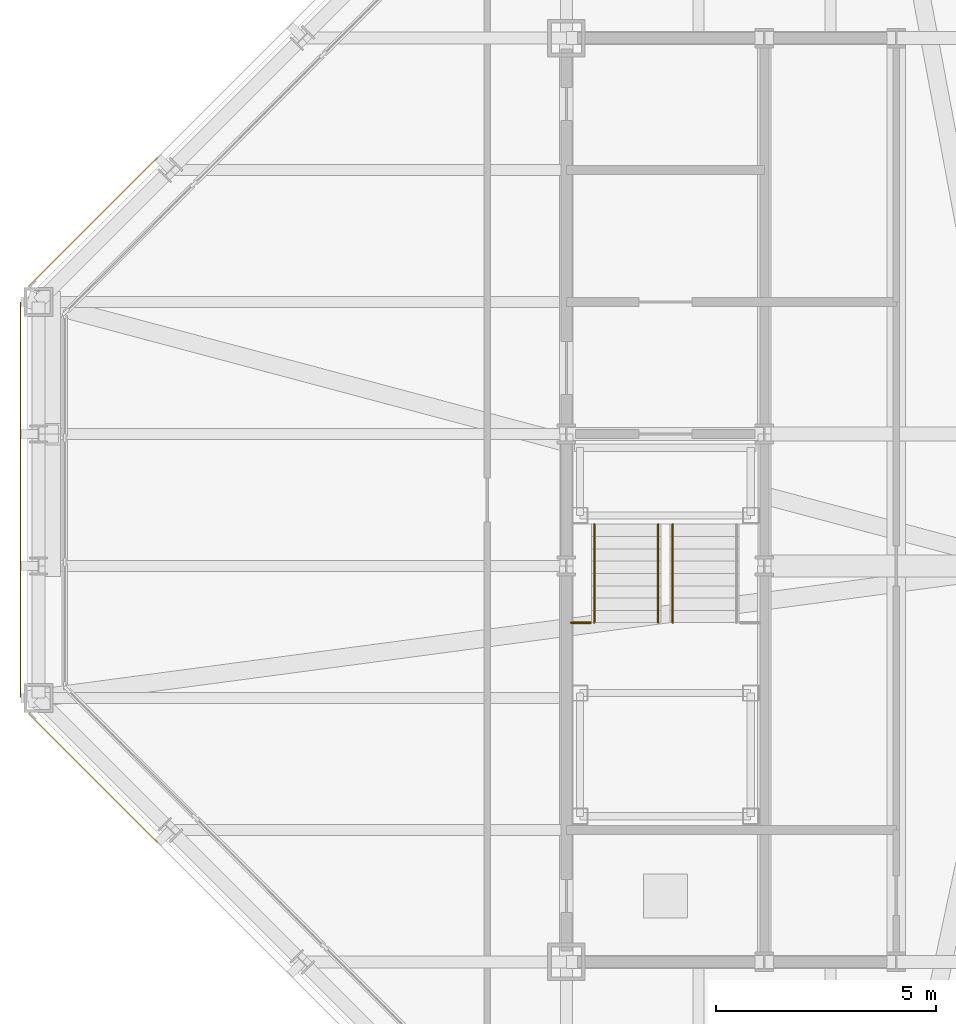
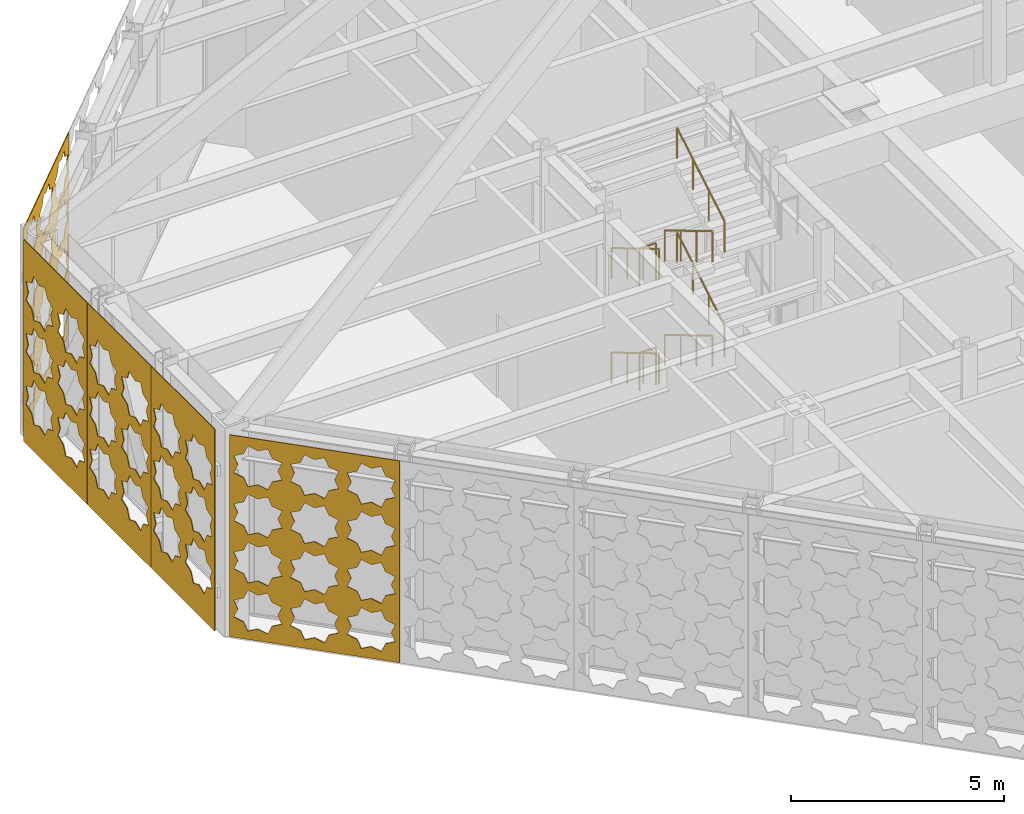
# One storey, part 24 of 30: 8 railings, 5 coverings.
"""IFC4 building model written with IfcOpenShell, lengths in metres."""

from ifc_helpers import new_model, si_unit, direction, frame, origin, origin_2d, place, context, subcontext, project, spatial, polyline, circle, outline, extrude, material, layer, layer_set, type_object, element, save


model = new_model("IFC4")

# Units and contexts
model_context = context("Model", 3, precision=1e-05, world=origin(), true_north=direction((0.0, 1.0)))
body_context = subcontext(model_context, "Body", "Model", "MODEL_VIEW")
ifc_project = project(units=[si_unit("LENGTHUNIT", "METRE"), si_unit("AREAUNIT", "SQUARE_METRE"), si_unit("VOLUMEUNIT", "CUBIC_METRE"), si_unit("PLANEANGLEUNIT", "RADIAN"), si_unit("MASSUNIT", "GRAM", prefix="KILO")], contexts=[model_context])

# Site, building, storey
site_placement = place(None, origin())
site = spatial("IfcSite", under=ifc_project, at=site_placement, CompositionType="ELEMENT")
building_placement = place(site_placement, origin())
building = spatial("IfcBuilding", under=site, at=building_placement, Name="Chuquiago Exchange Tower", CompositionType="ELEMENT")
storey_placement = place(building_placement, frame((0.0, 0.0, 306.0)))
storey = spatial("IfcBuildingStorey", under=building, at=storey_placement, Name="L68", CompositionType="ELEMENT", Elevation=306.0)

# Coverings
ifc_material_1 = material(Name="Anodised aluminium, pale", Category="aluminium")
ifc_layer_1 = layer(ifc_material_1, 0.02001953125)
ifc_layer_set_1 = layer_set([ifc_layer_1], Name="GC3 girih cladding panel 20")
covering_type_1 = type_object("IfcCoveringType", Name="GC3 girih cladding panel 20", PredefinedType="CLADDING", material=ifc_layer_set_1)
covering_1_placement = place(storey_placement, frame((-0.39990234375, 26.9951171875, 0.0048828125), z_axis=(0.0, 0.0, 1.0), x_axis=(0.0, -1.0, 0.0)))
element("IfcCovering", 1, at=covering_1_placement, inside=storey, type_object=covering_type_1, Name="Girih cladding panel L68 W 1", PredefinedType="CLADDING", context=body_context, shape_type="SweptSolid", body=[
    extrude(outline(polyline([(0.0, 0.0), (2.989990234375, 0.0), (2.989990234375, 5.795166015625), (0.0, 5.795166015625), (0.0, 0.0)]), holes=[polyline([(1.27392578125, 1.402587890625), (1.3828125, 1.665771484375), (1.11962890625, 1.77490234375), (1.0107421875, 2.0380859375), (0.74755859375, 1.928955078125), (0.484375, 2.0380859375), (0.375244140625, 1.77490234375), (0.112060546875, 1.665771484375), (0.22119140625, 1.402587890625), (0.112060546875, 1.139404296875), (0.375244140625, 1.030517578125), (0.484375, 0.767333984375), (0.74755859375, 0.876220703125), (1.0107421875, 0.767333984375), (1.11962890625, 1.030517578125), (1.3828125, 1.139404296875), (1.27392578125, 1.402587890625)]), polyline([(2.768798828125, 1.402587890625), (2.8779296875, 1.665771484375), (2.61474609375, 1.77490234375), (2.505615234375, 2.0380859375), (2.242431640625, 1.928955078125), (1.979248046875, 2.0380859375), (1.870361328125, 1.77490234375), (1.607177734375, 1.665771484375), (1.716064453125, 1.402587890625), (1.607177734375, 1.139404296875), (1.870361328125, 1.030517578125), (1.979248046875, 0.767333984375), (2.242431640625, 0.876220703125), (2.505615234375, 0.767333984375), (2.61474609375, 1.030517578125), (2.8779296875, 1.139404296875), (2.768798828125, 1.402587890625)]), polyline([(1.27392578125, 2.897705078125), (1.3828125, 3.160888671875), (1.11962890625, 3.269775390625), (1.0107421875, 3.532958984375), (0.74755859375, 3.424072265625), (0.484375, 3.532958984375), (0.375244140625, 3.269775390625), (0.112060546875, 3.160888671875), (0.22119140625, 2.897705078125), (0.112060546875, 2.634521484375), (0.375244140625, 2.525390625), (0.484375, 2.26220703125), (0.74755859375, 2.371337890625), (1.0107421875, 2.26220703125), (1.11962890625, 2.525390625), (1.3828125, 2.634521484375), (1.27392578125, 2.897705078125)]), polyline([(2.768798828125, 2.897705078125), (2.8779296875, 3.160888671875), (2.61474609375, 3.269775390625), (2.505615234375, 3.532958984375), (2.242431640625, 3.424072265625), (1.979248046875, 3.532958984375), (1.870361328125, 3.269775390625), (1.607177734375, 3.160888671875), (1.716064453125, 2.897705078125), (1.607177734375, 2.634521484375), (1.870361328125, 2.525390625), (1.979248046875, 2.26220703125), (2.242431640625, 2.371337890625), (2.505615234375, 2.26220703125), (2.61474609375, 2.525390625), (2.8779296875, 2.634521484375), (2.768798828125, 2.897705078125)]), polyline([(1.27392578125, 4.392578125), (1.3828125, 4.65576171875), (1.11962890625, 4.764892578125), (1.0107421875, 5.028076171875), (0.74755859375, 4.9189453125), (0.484375, 5.028076171875), (0.375244140625, 4.764892578125), (0.112060546875, 4.65576171875), (0.22119140625, 4.392578125), (0.112060546875, 4.12939453125), (0.375244140625, 4.0205078125), (0.484375, 3.75732421875), (0.74755859375, 3.8662109375), (1.0107421875, 3.75732421875), (1.11962890625, 4.0205078125), (1.3828125, 4.12939453125), (1.27392578125, 4.392578125)]), polyline([(2.768798828125, 4.392578125), (2.8779296875, 4.65576171875), (2.61474609375, 4.764892578125), (2.505615234375, 5.028076171875), (2.242431640625, 4.9189453125), (1.979248046875, 5.028076171875), (1.870361328125, 4.764892578125), (1.607177734375, 4.65576171875), (1.716064453125, 4.392578125), (1.607177734375, 4.12939453125), (1.870361328125, 4.0205078125), (1.979248046875, 3.75732421875), (2.242431640625, 3.8662109375), (2.505615234375, 3.75732421875), (2.61474609375, 4.0205078125), (2.8779296875, 4.12939453125), (2.768798828125, 4.392578125)])]), frame((0.0, 0.0, 0.0), z_axis=(0.0, -1.0, 0.0), x_axis=(1.0, 0.0, 0.0)), (0.0, 0.0, 1.0), 0.02001953125),
])
covering_2_placement = place(storey_placement, frame((-0.39990234375, 23.9951171875, 0.0048828125), z_axis=(0.0, 0.0, 1.0), x_axis=(0.0, -1.0, 0.0)))
element("IfcCovering", 2, at=covering_2_placement, inside=storey, type_object=covering_type_1, Name="Girih cladding panel L68 W 2", PredefinedType="CLADDING", context=body_context, shape_type="SweptSolid", body=[
    extrude(outline(polyline([(0.0, 0.0), (2.989990234375, 0.0), (2.989990234375, 5.795166015625), (0.0, 5.795166015625), (0.0, 0.0)]), holes=[polyline([(1.27392578125, 1.402587890625), (1.3828125, 1.665771484375), (1.11962890625, 1.77490234375), (1.0107421875, 2.0380859375), (0.74755859375, 1.928955078125), (0.484375, 2.0380859375), (0.375244140625, 1.77490234375), (0.112060546875, 1.665771484375), (0.22119140625, 1.402587890625), (0.112060546875, 1.139404296875), (0.375244140625, 1.030517578125), (0.484375, 0.767333984375), (0.74755859375, 0.876220703125), (1.0107421875, 0.767333984375), (1.11962890625, 1.030517578125), (1.3828125, 1.139404296875), (1.27392578125, 1.402587890625)]), polyline([(2.768798828125, 1.402587890625), (2.8779296875, 1.665771484375), (2.61474609375, 1.77490234375), (2.505615234375, 2.0380859375), (2.242431640625, 1.928955078125), (1.979248046875, 2.0380859375), (1.870361328125, 1.77490234375), (1.607177734375, 1.665771484375), (1.716064453125, 1.402587890625), (1.607177734375, 1.139404296875), (1.870361328125, 1.030517578125), (1.979248046875, 0.767333984375), (2.242431640625, 0.876220703125), (2.505615234375, 0.767333984375), (2.61474609375, 1.030517578125), (2.8779296875, 1.139404296875), (2.768798828125, 1.402587890625)]), polyline([(1.27392578125, 2.897705078125), (1.3828125, 3.160888671875), (1.11962890625, 3.269775390625), (1.0107421875, 3.532958984375), (0.74755859375, 3.424072265625), (0.484375, 3.532958984375), (0.375244140625, 3.269775390625), (0.112060546875, 3.160888671875), (0.22119140625, 2.897705078125), (0.112060546875, 2.634521484375), (0.375244140625, 2.525390625), (0.484375, 2.26220703125), (0.74755859375, 2.371337890625), (1.0107421875, 2.26220703125), (1.11962890625, 2.525390625), (1.3828125, 2.634521484375), (1.27392578125, 2.897705078125)]), polyline([(2.768798828125, 2.897705078125), (2.8779296875, 3.160888671875), (2.61474609375, 3.269775390625), (2.505615234375, 3.532958984375), (2.242431640625, 3.424072265625), (1.979248046875, 3.532958984375), (1.870361328125, 3.269775390625), (1.607177734375, 3.160888671875), (1.716064453125, 2.897705078125), (1.607177734375, 2.634521484375), (1.870361328125, 2.525390625), (1.979248046875, 2.26220703125), (2.242431640625, 2.371337890625), (2.505615234375, 2.26220703125), (2.61474609375, 2.525390625), (2.8779296875, 2.634521484375), (2.768798828125, 2.897705078125)]), polyline([(1.27392578125, 4.392578125), (1.3828125, 4.65576171875), (1.11962890625, 4.764892578125), (1.0107421875, 5.028076171875), (0.74755859375, 4.9189453125), (0.484375, 5.028076171875), (0.375244140625, 4.764892578125), (0.112060546875, 4.65576171875), (0.22119140625, 4.392578125), (0.112060546875, 4.12939453125), (0.375244140625, 4.0205078125), (0.484375, 3.75732421875), (0.74755859375, 3.8662109375), (1.0107421875, 3.75732421875), (1.11962890625, 4.0205078125), (1.3828125, 4.12939453125), (1.27392578125, 4.392578125)]), polyline([(2.768798828125, 4.392578125), (2.8779296875, 4.65576171875), (2.61474609375, 4.764892578125), (2.505615234375, 5.028076171875), (2.242431640625, 4.9189453125), (1.979248046875, 5.028076171875), (1.870361328125, 4.764892578125), (1.607177734375, 4.65576171875), (1.716064453125, 4.392578125), (1.607177734375, 4.12939453125), (1.870361328125, 4.0205078125), (1.979248046875, 3.75732421875), (2.242431640625, 3.8662109375), (2.505615234375, 3.75732421875), (2.61474609375, 4.0205078125), (2.8779296875, 4.12939453125), (2.768798828125, 4.392578125)])]), frame((0.0, 0.0, 0.0), z_axis=(0.0, -1.0, 0.0), x_axis=(1.0, 0.0, 0.0)), (0.0, 0.0, 1.0), 0.02001953125),
])
covering_3_placement = place(storey_placement, frame((-0.39990234375, 20.9951171875, 0.0048828125), z_axis=(0.0, 0.0, 1.0), x_axis=(0.0, -1.0, 0.0)))
element("IfcCovering", 3, at=covering_3_placement, inside=storey, type_object=covering_type_1, Name="Girih cladding panel L68 W 3", PredefinedType="CLADDING", context=body_context, shape_type="SweptSolid", body=[
    extrude(outline(polyline([(0.0, 0.0), (2.989990234375, 0.0), (2.989990234375, 5.795166015625), (0.0, 5.795166015625), (0.0, 0.0)]), holes=[polyline([(1.27392578125, 1.402587890625), (1.3828125, 1.665771484375), (1.11962890625, 1.77490234375), (1.0107421875, 2.0380859375), (0.74755859375, 1.928955078125), (0.484375, 2.0380859375), (0.375244140625, 1.77490234375), (0.112060546875, 1.665771484375), (0.22119140625, 1.402587890625), (0.112060546875, 1.139404296875), (0.375244140625, 1.030517578125), (0.484375, 0.767333984375), (0.74755859375, 0.876220703125), (1.0107421875, 0.767333984375), (1.11962890625, 1.030517578125), (1.3828125, 1.139404296875), (1.27392578125, 1.402587890625)]), polyline([(2.768798828125, 1.402587890625), (2.8779296875, 1.665771484375), (2.61474609375, 1.77490234375), (2.505615234375, 2.0380859375), (2.242431640625, 1.928955078125), (1.979248046875, 2.0380859375), (1.870361328125, 1.77490234375), (1.607177734375, 1.665771484375), (1.716064453125, 1.402587890625), (1.607177734375, 1.139404296875), (1.870361328125, 1.030517578125), (1.979248046875, 0.767333984375), (2.242431640625, 0.876220703125), (2.505615234375, 0.767333984375), (2.61474609375, 1.030517578125), (2.8779296875, 1.139404296875), (2.768798828125, 1.402587890625)]), polyline([(1.27392578125, 2.897705078125), (1.3828125, 3.160888671875), (1.11962890625, 3.269775390625), (1.0107421875, 3.532958984375), (0.74755859375, 3.424072265625), (0.484375, 3.532958984375), (0.375244140625, 3.269775390625), (0.112060546875, 3.160888671875), (0.22119140625, 2.897705078125), (0.112060546875, 2.634521484375), (0.375244140625, 2.525390625), (0.484375, 2.26220703125), (0.74755859375, 2.371337890625), (1.0107421875, 2.26220703125), (1.11962890625, 2.525390625), (1.3828125, 2.634521484375), (1.27392578125, 2.897705078125)]), polyline([(2.768798828125, 2.897705078125), (2.8779296875, 3.160888671875), (2.61474609375, 3.269775390625), (2.505615234375, 3.532958984375), (2.242431640625, 3.424072265625), (1.979248046875, 3.532958984375), (1.870361328125, 3.269775390625), (1.607177734375, 3.160888671875), (1.716064453125, 2.897705078125), (1.607177734375, 2.634521484375), (1.870361328125, 2.525390625), (1.979248046875, 2.26220703125), (2.242431640625, 2.371337890625), (2.505615234375, 2.26220703125), (2.61474609375, 2.525390625), (2.8779296875, 2.634521484375), (2.768798828125, 2.897705078125)]), polyline([(1.27392578125, 4.392578125), (1.3828125, 4.65576171875), (1.11962890625, 4.764892578125), (1.0107421875, 5.028076171875), (0.74755859375, 4.9189453125), (0.484375, 5.028076171875), (0.375244140625, 4.764892578125), (0.112060546875, 4.65576171875), (0.22119140625, 4.392578125), (0.112060546875, 4.12939453125), (0.375244140625, 4.0205078125), (0.484375, 3.75732421875), (0.74755859375, 3.8662109375), (1.0107421875, 3.75732421875), (1.11962890625, 4.0205078125), (1.3828125, 4.12939453125), (1.27392578125, 4.392578125)]), polyline([(2.768798828125, 4.392578125), (2.8779296875, 4.65576171875), (2.61474609375, 4.764892578125), (2.505615234375, 5.028076171875), (2.242431640625, 4.9189453125), (1.979248046875, 5.028076171875), (1.870361328125, 4.764892578125), (1.607177734375, 4.65576171875), (1.716064453125, 4.392578125), (1.607177734375, 4.12939453125), (1.870361328125, 4.0205078125), (1.979248046875, 3.75732421875), (2.242431640625, 3.8662109375), (2.505615234375, 3.75732421875), (2.61474609375, 4.0205078125), (2.8779296875, 4.12939453125), (2.768798828125, 4.392578125)])]), frame((0.0, 0.0, 0.0), z_axis=(0.0, -1.0, 0.0), x_axis=(1.0, 0.0, 0.0)), (0.0, 0.0, 1.0), 0.02001953125),
])
ifc_material_2 = material(Name="Anodised aluminium, pale", Category="aluminium")
ifc_layer_2 = layer(ifc_material_2, 0.02001953125)
ifc_layer_set_2 = layer_set([ifc_layer_2], Name="GC7 girih cladding panel 20")
covering_type_2 = type_object("IfcCoveringType", Name="GC7 girih cladding panel 20", PredefinedType="CLADDING", material=ifc_layer_set_2)
covering_4_placement = place(storey_placement, frame((2.713623046875, 30.279296875, 0.0048828125), z_axis=(0.0, 0.0, 1.0), x_axis=(-0.707106781187, -0.707106781187, 0.0)))
element("IfcCovering", 4, at=covering_4_placement, inside=storey, type_object=covering_type_2, Name="Girih cladding panel L68 NW 6", PredefinedType="CLADDING", context=body_context, shape_type="SweptSolid", body=[
    extrude(outline(polyline([(0.0, 0.0), (4.142578125, 0.0), (4.142578125, 5.795166015625), (0.0, 5.795166015625), (0.0, 0.0)]), holes=[polyline([(1.176513671875, 0.826416015625), (1.27734375, 1.0693359375), (1.0341796875, 1.169921875), (0.93359375, 1.4130859375), (0.6904296875, 1.3125), (0.447509765625, 1.4130859375), (0.3466796875, 1.169921875), (0.103515625, 1.0693359375), (0.204345703125, 0.826416015625), (0.103515625, 0.583251953125), (0.3466796875, 0.482421875), (0.447509765625, 0.239501953125), (0.6904296875, 0.340087890625), (0.93359375, 0.239501953125), (1.0341796875, 0.482421875), (1.27734375, 0.583251953125), (1.176513671875, 0.826416015625)]), polyline([(2.5576171875, 0.826416015625), (2.658203125, 1.0693359375), (2.4150390625, 1.169921875), (2.314453125, 1.4130859375), (2.0712890625, 1.3125), (1.828369140625, 1.4130859375), (1.7275390625, 1.169921875), (1.484619140625, 1.0693359375), (1.585205078125, 0.826416015625), (1.484619140625, 0.583251953125), (1.7275390625, 0.482421875), (1.828369140625, 0.239501953125), (2.0712890625, 0.340087890625), (2.314453125, 0.239501953125), (2.4150390625, 0.482421875), (2.658203125, 0.583251953125), (2.5576171875, 0.826416015625)]), polyline([(3.9384765625, 0.826416015625), (4.0390625, 1.0693359375), (3.7958984375, 1.169921875), (3.6953125, 1.4130859375), (3.452392578125, 1.3125), (3.209228515625, 1.4130859375), (3.1083984375, 1.169921875), (2.865478515625, 1.0693359375), (2.966064453125, 0.826416015625), (2.865478515625, 0.583251953125), (3.1083984375, 0.482421875), (3.209228515625, 0.239501953125), (3.452392578125, 0.340087890625), (3.6953125, 0.239501953125), (3.7958984375, 0.482421875), (4.0390625, 0.583251953125), (3.9384765625, 0.826416015625)]), polyline([(1.176513671875, 2.207275390625), (1.27734375, 2.4501953125), (1.0341796875, 2.551025390625), (0.93359375, 2.7939453125), (0.6904296875, 2.693359375), (0.447509765625, 2.7939453125), (0.3466796875, 2.551025390625), (0.103515625, 2.4501953125), (0.204345703125, 2.207275390625), (0.103515625, 1.964111328125), (0.3466796875, 1.863525390625), (0.447509765625, 1.620361328125), (0.6904296875, 1.720947265625), (0.93359375, 1.620361328125), (1.0341796875, 1.863525390625), (1.27734375, 1.964111328125), (1.176513671875, 2.207275390625)]), polyline([(2.5576171875, 2.207275390625), (2.658203125, 2.4501953125), (2.4150390625, 2.551025390625), (2.314453125, 2.7939453125), (2.0712890625, 2.693359375), (1.828369140625, 2.7939453125), (1.7275390625, 2.551025390625), (1.484619140625, 2.4501953125), (1.585205078125, 2.207275390625), (1.484619140625, 1.964111328125), (1.7275390625, 1.863525390625), (1.828369140625, 1.620361328125), (2.0712890625, 1.720947265625), (2.314453125, 1.620361328125), (2.4150390625, 1.863525390625), (2.658203125, 1.964111328125), (2.5576171875, 2.207275390625)]), polyline([(3.9384765625, 2.207275390625), (4.0390625, 2.4501953125), (3.7958984375, 2.551025390625), (3.6953125, 2.7939453125), (3.452392578125, 2.693359375), (3.209228515625, 2.7939453125), (3.1083984375, 2.551025390625), (2.865478515625, 2.4501953125), (2.966064453125, 2.207275390625), (2.865478515625, 1.964111328125), (3.1083984375, 1.863525390625), (3.209228515625, 1.620361328125), (3.452392578125, 1.720947265625), (3.6953125, 1.620361328125), (3.7958984375, 1.863525390625), (4.0390625, 1.964111328125), (3.9384765625, 2.207275390625)]), polyline([(1.176513671875, 3.588134765625), (1.27734375, 3.8310546875), (1.0341796875, 3.931884765625), (0.93359375, 4.1748046875), (0.6904296875, 4.07421875), (0.447509765625, 4.1748046875), (0.3466796875, 3.931884765625), (0.103515625, 3.8310546875), (0.204345703125, 3.588134765625), (0.103515625, 3.344970703125), (0.3466796875, 3.244384765625), (0.447509765625, 3.001220703125), (0.6904296875, 3.101806640625), (0.93359375, 3.001220703125), (1.0341796875, 3.244384765625), (1.27734375, 3.344970703125), (1.176513671875, 3.588134765625)]), polyline([(2.5576171875, 3.588134765625), (2.658203125, 3.8310546875), (2.4150390625, 3.931884765625), (2.314453125, 4.1748046875), (2.0712890625, 4.07421875), (1.828369140625, 4.1748046875), (1.7275390625, 3.931884765625), (1.484619140625, 3.8310546875), (1.585205078125, 3.588134765625), (1.484619140625, 3.344970703125), (1.7275390625, 3.244384765625), (1.828369140625, 3.001220703125), (2.0712890625, 3.101806640625), (2.314453125, 3.001220703125), (2.4150390625, 3.244384765625), (2.658203125, 3.344970703125), (2.5576171875, 3.588134765625)]), polyline([(3.9384765625, 3.588134765625), (4.0390625, 3.8310546875), (3.7958984375, 3.931884765625), (3.6953125, 4.1748046875), (3.452392578125, 4.07421875), (3.209228515625, 4.1748046875), (3.1083984375, 3.931884765625), (2.865478515625, 3.8310546875), (2.966064453125, 3.588134765625), (2.865478515625, 3.344970703125), (3.1083984375, 3.244384765625), (3.209228515625, 3.001220703125), (3.452392578125, 3.101806640625), (3.6953125, 3.001220703125), (3.7958984375, 3.244384765625), (4.0390625, 3.344970703125), (3.9384765625, 3.588134765625)]), polyline([(1.176513671875, 4.968994140625), (1.27734375, 5.2119140625), (1.0341796875, 5.312744140625), (0.93359375, 5.555908203125), (0.6904296875, 5.455078125), (0.447509765625, 5.555908203125), (0.3466796875, 5.312744140625), (0.103515625, 5.2119140625), (0.204345703125, 4.968994140625), (0.103515625, 4.725830078125), (0.3466796875, 4.625244140625), (0.447509765625, 4.382080078125), (0.6904296875, 4.48291015625), (0.93359375, 4.382080078125), (1.0341796875, 4.625244140625), (1.27734375, 4.725830078125), (1.176513671875, 4.968994140625)]), polyline([(2.5576171875, 4.968994140625), (2.658203125, 5.2119140625), (2.4150390625, 5.312744140625), (2.314453125, 5.555908203125), (2.0712890625, 5.455078125), (1.828369140625, 5.555908203125), (1.7275390625, 5.312744140625), (1.484619140625, 5.2119140625), (1.585205078125, 4.968994140625), (1.484619140625, 4.725830078125), (1.7275390625, 4.625244140625), (1.828369140625, 4.382080078125), (2.0712890625, 4.48291015625), (2.314453125, 4.382080078125), (2.4150390625, 4.625244140625), (2.658203125, 4.725830078125), (2.5576171875, 4.968994140625)]), polyline([(3.9384765625, 4.968994140625), (4.0390625, 5.2119140625), (3.7958984375, 5.312744140625), (3.6953125, 5.555908203125), (3.452392578125, 5.455078125), (3.209228515625, 5.555908203125), (3.1083984375, 5.312744140625), (2.865478515625, 5.2119140625), (2.966064453125, 4.968994140625), (2.865478515625, 4.725830078125), (3.1083984375, 4.625244140625), (3.209228515625, 4.382080078125), (3.452392578125, 4.48291015625), (3.6953125, 4.382080078125), (3.7958984375, 4.625244140625), (4.0390625, 4.725830078125), (3.9384765625, 4.968994140625)])]), frame((0.0, 0.0, 0.0), z_axis=(0.0, -1.0, 0.0), x_axis=(1.0, 0.0, 0.0)), (0.0, 0.0, 1.0), 0.02001953125),
])
covering_5_placement = place(storey_placement, frame((-0.2158203125, 17.64990234375, 0.0048828125), z_axis=(0.0, 0.0, 1.0), x_axis=(0.707106781187, -0.707106781187, 0.0)))
element("IfcCovering", 5, at=covering_5_placement, inside=storey, type_object=covering_type_2, Name="Girih cladding panel L68 SW 1", PredefinedType="CLADDING", context=body_context, shape_type="SweptSolid", body=[
    extrude(outline(polyline([(0.0, 0.0), (4.142578125, 0.0), (4.142578125, 5.795166015625), (0.0, 5.795166015625), (0.0, 0.0)]), holes=[polyline([(1.176513671875, 0.826416015625), (1.27734375, 1.0693359375), (1.0341796875, 1.169921875), (0.93359375, 1.4130859375), (0.6904296875, 1.3125), (0.447509765625, 1.4130859375), (0.3466796875, 1.169921875), (0.103515625, 1.0693359375), (0.204345703125, 0.826416015625), (0.103515625, 0.583251953125), (0.3466796875, 0.482421875), (0.447509765625, 0.239501953125), (0.6904296875, 0.340087890625), (0.93359375, 0.239501953125), (1.0341796875, 0.482421875), (1.27734375, 0.583251953125), (1.176513671875, 0.826416015625)]), polyline([(2.5576171875, 0.826416015625), (2.658203125, 1.0693359375), (2.4150390625, 1.169921875), (2.314453125, 1.4130859375), (2.0712890625, 1.3125), (1.828369140625, 1.4130859375), (1.7275390625, 1.169921875), (1.484619140625, 1.0693359375), (1.585205078125, 0.826416015625), (1.484619140625, 0.583251953125), (1.7275390625, 0.482421875), (1.828369140625, 0.239501953125), (2.0712890625, 0.340087890625), (2.314453125, 0.239501953125), (2.4150390625, 0.482421875), (2.658203125, 0.583251953125), (2.5576171875, 0.826416015625)]), polyline([(3.9384765625, 0.826416015625), (4.0390625, 1.0693359375), (3.7958984375, 1.169921875), (3.6953125, 1.4130859375), (3.452392578125, 1.3125), (3.209228515625, 1.4130859375), (3.1083984375, 1.169921875), (2.865478515625, 1.0693359375), (2.966064453125, 0.826416015625), (2.865478515625, 0.583251953125), (3.1083984375, 0.482421875), (3.209228515625, 0.239501953125), (3.452392578125, 0.340087890625), (3.6953125, 0.239501953125), (3.7958984375, 0.482421875), (4.0390625, 0.583251953125), (3.9384765625, 0.826416015625)]), polyline([(1.176513671875, 2.207275390625), (1.27734375, 2.4501953125), (1.0341796875, 2.551025390625), (0.93359375, 2.7939453125), (0.6904296875, 2.693359375), (0.447509765625, 2.7939453125), (0.3466796875, 2.551025390625), (0.103515625, 2.4501953125), (0.204345703125, 2.207275390625), (0.103515625, 1.964111328125), (0.3466796875, 1.863525390625), (0.447509765625, 1.620361328125), (0.6904296875, 1.720947265625), (0.93359375, 1.620361328125), (1.0341796875, 1.863525390625), (1.27734375, 1.964111328125), (1.176513671875, 2.207275390625)]), polyline([(2.5576171875, 2.207275390625), (2.658203125, 2.4501953125), (2.4150390625, 2.551025390625), (2.314453125, 2.7939453125), (2.0712890625, 2.693359375), (1.828369140625, 2.7939453125), (1.7275390625, 2.551025390625), (1.484619140625, 2.4501953125), (1.585205078125, 2.207275390625), (1.484619140625, 1.964111328125), (1.7275390625, 1.863525390625), (1.828369140625, 1.620361328125), (2.0712890625, 1.720947265625), (2.314453125, 1.620361328125), (2.4150390625, 1.863525390625), (2.658203125, 1.964111328125), (2.5576171875, 2.207275390625)]), polyline([(3.9384765625, 2.207275390625), (4.0390625, 2.4501953125), (3.7958984375, 2.551025390625), (3.6953125, 2.7939453125), (3.452392578125, 2.693359375), (3.209228515625, 2.7939453125), (3.1083984375, 2.551025390625), (2.865478515625, 2.4501953125), (2.966064453125, 2.207275390625), (2.865478515625, 1.964111328125), (3.1083984375, 1.863525390625), (3.209228515625, 1.620361328125), (3.452392578125, 1.720947265625), (3.6953125, 1.620361328125), (3.7958984375, 1.863525390625), (4.0390625, 1.964111328125), (3.9384765625, 2.207275390625)]), polyline([(1.176513671875, 3.588134765625), (1.27734375, 3.8310546875), (1.0341796875, 3.931884765625), (0.93359375, 4.1748046875), (0.6904296875, 4.07421875), (0.447509765625, 4.1748046875), (0.3466796875, 3.931884765625), (0.103515625, 3.8310546875), (0.204345703125, 3.588134765625), (0.103515625, 3.344970703125), (0.3466796875, 3.244384765625), (0.447509765625, 3.001220703125), (0.6904296875, 3.101806640625), (0.93359375, 3.001220703125), (1.0341796875, 3.244384765625), (1.27734375, 3.344970703125), (1.176513671875, 3.588134765625)]), polyline([(2.5576171875, 3.588134765625), (2.658203125, 3.8310546875), (2.4150390625, 3.931884765625), (2.314453125, 4.1748046875), (2.0712890625, 4.07421875), (1.828369140625, 4.1748046875), (1.7275390625, 3.931884765625), (1.484619140625, 3.8310546875), (1.585205078125, 3.588134765625), (1.484619140625, 3.344970703125), (1.7275390625, 3.244384765625), (1.828369140625, 3.001220703125), (2.0712890625, 3.101806640625), (2.314453125, 3.001220703125), (2.4150390625, 3.244384765625), (2.658203125, 3.344970703125), (2.5576171875, 3.588134765625)]), polyline([(3.9384765625, 3.588134765625), (4.0390625, 3.8310546875), (3.7958984375, 3.931884765625), (3.6953125, 4.1748046875), (3.452392578125, 4.07421875), (3.209228515625, 4.1748046875), (3.1083984375, 3.931884765625), (2.865478515625, 3.8310546875), (2.966064453125, 3.588134765625), (2.865478515625, 3.344970703125), (3.1083984375, 3.244384765625), (3.209228515625, 3.001220703125), (3.452392578125, 3.101806640625), (3.6953125, 3.001220703125), (3.7958984375, 3.244384765625), (4.0390625, 3.344970703125), (3.9384765625, 3.588134765625)]), polyline([(1.176513671875, 4.968994140625), (1.27734375, 5.2119140625), (1.0341796875, 5.312744140625), (0.93359375, 5.555908203125), (0.6904296875, 5.455078125), (0.447509765625, 5.555908203125), (0.3466796875, 5.312744140625), (0.103515625, 5.2119140625), (0.204345703125, 4.968994140625), (0.103515625, 4.725830078125), (0.3466796875, 4.625244140625), (0.447509765625, 4.382080078125), (0.6904296875, 4.48291015625), (0.93359375, 4.382080078125), (1.0341796875, 4.625244140625), (1.27734375, 4.725830078125), (1.176513671875, 4.968994140625)]), polyline([(2.5576171875, 4.968994140625), (2.658203125, 5.2119140625), (2.4150390625, 5.312744140625), (2.314453125, 5.555908203125), (2.0712890625, 5.455078125), (1.828369140625, 5.555908203125), (1.7275390625, 5.312744140625), (1.484619140625, 5.2119140625), (1.585205078125, 4.968994140625), (1.484619140625, 4.725830078125), (1.7275390625, 4.625244140625), (1.828369140625, 4.382080078125), (2.0712890625, 4.48291015625), (2.314453125, 4.382080078125), (2.4150390625, 4.625244140625), (2.658203125, 4.725830078125), (2.5576171875, 4.968994140625)]), polyline([(3.9384765625, 4.968994140625), (4.0390625, 5.2119140625), (3.7958984375, 5.312744140625), (3.6953125, 5.555908203125), (3.452392578125, 5.455078125), (3.209228515625, 5.555908203125), (3.1083984375, 5.312744140625), (2.865478515625, 5.2119140625), (2.966064453125, 4.968994140625), (2.865478515625, 4.725830078125), (3.1083984375, 4.625244140625), (3.209228515625, 4.382080078125), (3.452392578125, 4.48291015625), (3.6953125, 4.382080078125), (3.7958984375, 4.625244140625), (4.0390625, 4.725830078125), (3.9384765625, 4.968994140625)])]), frame((0.0, 0.0, 0.0), z_axis=(0.0, -1.0, 0.0), x_axis=(1.0, 0.0, 0.0)), (0.0, 0.0, 1.0), 0.02001953125),
])

# Railings
ifc_material_3 = material(Name="Pale metal guard with safety glass infill", Category="glass")
railing_type_1 = type_object("IfcRailingType", Name="GR1 guard 1100", PredefinedType="GUARDRAIL", material=ifc_material_3)
for number, where, name in (
    (6, (12.10009765625, 19.7099609375, 1.5), "Guard ST1 L68 landing 2"),
    (7, (12.10009765625, 19.7099609375, 4.5), "Guard ST1 L68 landing 4"),
):
    element("IfcRailing", number, at=place(storey_placement, frame(where)), inside=storey, type_object=railing_type_1, Name=name, PredefinedType="GUARDRAIL", context=body_context, shape_type="SweptSolid", body=[
        extrude(circle(Radius=0.02392578125, at=origin_2d()), frame((0.0, 0.0, 1.076171875), z_axis=(1.0, 0.0, 0.0), x_axis=(0.0, 1.0, 0.0)), (0.0, 0.0, 1.0), 0.454833984375),
        extrude(circle(Radius=0.02099609375, at=origin_2d()), origin(), (0.0, 0.0, 1.0), 1.052001953125),
        extrude(circle(Radius=0.02099609375, at=origin_2d()), frame((0.454833984375, 0.0, 0.0)), (0.0, 0.0, 1.0), 1.052001953125),
    ])
ifc_material_4 = material(Name="Pale metal handrail", Category="steel")
railing_type_2 = type_object("IfcRailingType", Name="HR1 handrail 900", PredefinedType="HANDRAIL", material=ifc_material_4)
for number, where, name in (
    (8, (12.635009765625, 21.949951171875, 0.166748046875), "Handrail ST1 L68 flight 1"),
    (9, (14.0849609375, 21.949951171875, 0.166748046875), "Handrail ST1 L68 flight 1"),
):
    element("IfcRailing", number, at=place(storey_placement, frame(where)), inside=storey, type_object=railing_type_2, Name=name, PredefinedType="HANDRAIL", context=body_context, shape_type="SweptSolid", body=[
        extrude(circle(Radius=0.02392578125, at=origin_2d()), frame((0.0, 0.0, 0.8759765625), z_axis=(0.0, -0.859305625298, 0.511462454469), x_axis=(1.0, 0.0, 0.0)), (0.0, 0.0, 1.0), 2.606689453125),
        extrude(circle(Radius=0.02099609375, at=origin_2d()), origin(), (0.0, 0.0, 1.0), 0.851806640625),
        extrude(circle(Radius=0.02099609375, at=origin_2d()), frame((0.0, -0.74658203125, 0.4443359375)), (0.0, 0.0, 1.0), 0.851806640625),
        extrude(circle(Radius=0.02099609375, at=origin_2d()), frame((0.0, -1.493408203125, 0.888916015625)), (0.0, 0.0, 1.0), 0.851806640625),
        extrude(circle(Radius=0.02099609375, at=origin_2d()), frame((0.0, -2.239990234375, 1.333251953125)), (0.0, 0.0, 1.0), 0.851806640625),
    ])
railing_1_placement = place(storey_placement, frame((14.4150390625, 19.7099609375, 1.666748046875)))
element("IfcRailing", 10, at=railing_1_placement, inside=storey, type_object=railing_type_2, Name="Handrail ST1 L68 flight 2", PredefinedType="HANDRAIL", context=body_context, shape_type="SweptSolid", body=[
    extrude(circle(Radius=0.02392578125, at=origin_2d()), frame((0.0, 0.0, 0.8759765625), z_axis=(0.0, 0.859305625298, 0.511462454469), x_axis=(-1.0, 0.0, 0.0)), (0.0, 0.0, 1.0), 2.606689453125),
    extrude(circle(Radius=0.02099609375, at=origin_2d()), origin(), (0.0, 0.0, 1.0), 0.851806640625),
    extrude(circle(Radius=0.02099609375, at=origin_2d()), frame((0.0, 0.74658203125, 0.4443359375)), (0.0, 0.0, 1.0), 0.851806640625),
    extrude(circle(Radius=0.02099609375, at=origin_2d()), frame((0.0, 1.493408203125, 0.888916015625)), (0.0, 0.0, 1.0), 0.851806640625),
    extrude(circle(Radius=0.02099609375, at=origin_2d()), frame((0.0, 2.239990234375, 1.333251953125)), (0.0, 0.0, 1.0), 0.851806640625),
])
for number, where, name in (
    (11, (12.635009765625, 21.949951171875, 3.166748046875), "Handrail ST1 L68 flight 3"),
    (12, (14.0849609375, 21.949951171875, 3.166748046875), "Handrail ST1 L68 flight 3"),
):
    element("IfcRailing", number, at=place(storey_placement, frame(where)), inside=storey, type_object=railing_type_2, Name=name, PredefinedType="HANDRAIL", context=body_context, shape_type="SweptSolid", body=[
        extrude(circle(Radius=0.02392578125, at=origin_2d()), frame((0.0, 0.0, 0.8759765625), z_axis=(0.0, -0.859305625298, 0.511462454469), x_axis=(1.0, 0.0, 0.0)), (0.0, 0.0, 1.0), 2.606689453125),
        extrude(circle(Radius=0.02099609375, at=origin_2d()), origin(), (0.0, 0.0, 1.0), 0.851806640625),
        extrude(circle(Radius=0.02099609375, at=origin_2d()), frame((0.0, -0.74658203125, 0.4443359375)), (0.0, 0.0, 1.0), 0.851806640625),
        extrude(circle(Radius=0.02099609375, at=origin_2d()), frame((0.0, -1.493408203125, 0.888916015625)), (0.0, 0.0, 1.0), 0.851806640625),
        extrude(circle(Radius=0.02099609375, at=origin_2d()), frame((0.0, -2.239990234375, 1.333251953125)), (0.0, 0.0, 1.0), 0.851806640625),
    ])
railing_2_placement = place(storey_placement, frame((14.4150390625, 19.7099609375, 4.666748046875)))
element("IfcRailing", 13, at=railing_2_placement, inside=storey, type_object=railing_type_2, Name="Handrail ST1 L68 flight 4", PredefinedType="HANDRAIL", context=body_context, shape_type="SweptSolid", body=[
    extrude(circle(Radius=0.02392578125, at=origin_2d()), frame((0.0, 0.0, 0.8759765625), z_axis=(0.0, 0.859305625298, 0.511462454469), x_axis=(-1.0, 0.0, 0.0)), (0.0, 0.0, 1.0), 2.606689453125),
    extrude(circle(Radius=0.02099609375, at=origin_2d()), origin(), (0.0, 0.0, 1.0), 0.851806640625),
    extrude(circle(Radius=0.02099609375, at=origin_2d()), frame((0.0, 0.74658203125, 0.4443359375)), (0.0, 0.0, 1.0), 0.851806640625),
    extrude(circle(Radius=0.02099609375, at=origin_2d()), frame((0.0, 1.493408203125, 0.888916015625)), (0.0, 0.0, 1.0), 0.851806640625),
    extrude(circle(Radius=0.02099609375, at=origin_2d()), frame((0.0, 2.239990234375, 1.333251953125)), (0.0, 0.0, 1.0), 0.851806640625),
])

save(model, "model.ifc")
